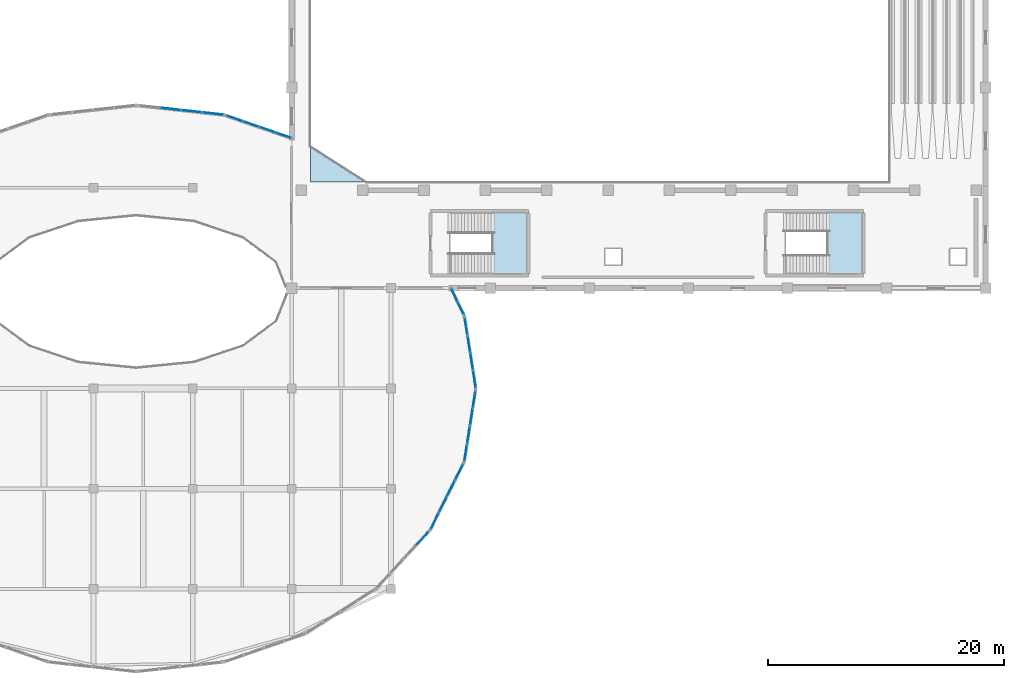
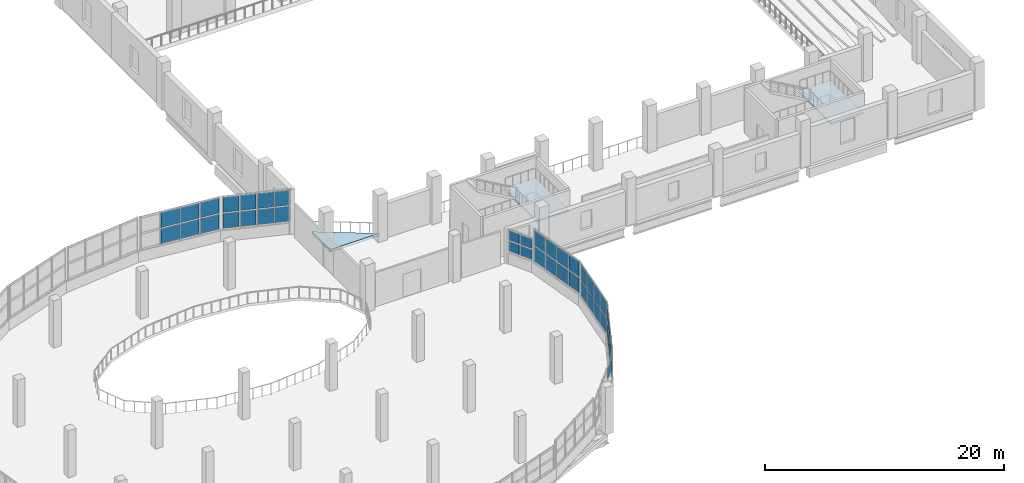
# One storey, part 52 of 77: 43 plates, 3 slabs, 9 elements without a shape of their own.
"""IFC4 building model written with IfcOpenShell, lengths in metres."""

from ifc_helpers import new_model, si_unit, direction, frame, origin, origin_2d, place, context, subcontext, project, spatial, polyline, rectangle, outline, extrude, material, layer, layer_set, type_object, element, aggregate, save


model = new_model("IFC4")

# Units and contexts
model_context = context("Model", 3, precision=1e-05, world=origin(), true_north=direction((0.0, 1.0)))
body_context = subcontext(model_context, "Body", "Model", "MODEL_VIEW")
ifc_project = project(units=[si_unit("LENGTHUNIT", "METRE"), si_unit("AREAUNIT", "SQUARE_METRE"), si_unit("VOLUMEUNIT", "CUBIC_METRE"), si_unit("PLANEANGLEUNIT", "RADIAN"), si_unit("MASSUNIT", "GRAM", prefix="KILO")], contexts=[model_context])

# Site, building, storey
site_placement = place(None, origin())
site = spatial("IfcSite", under=ifc_project, at=site_placement, CompositionType="ELEMENT")
building_placement = place(site_placement, origin())
building = spatial("IfcBuilding", under=site, at=building_placement, Name="Solvento Point Concert Hall", CompositionType="ELEMENT")
storey_placement = place(building_placement, frame((0.0, 0.0, 10.199951171875)))
storey = spatial("IfcBuildingStorey", under=building, at=storey_placement, Name="L02", CompositionType="ELEMENT", Elevation=10.199951171875)

# Curtain wall, plates
ifc_material_1 = material(Name="Anodized Bronze Aluminium", Category="aluminium")
curtain_wall_type = type_object("IfcCurtainWallType", Name="CurtainWall_RingRibbon_L01_02", PredefinedType="USERDEFINED", material=ifc_material_1)
curtain_wall_1_placement = place(storey_placement, origin())
curtain_wall_1 = element("IfcCurtainWall", 1, at=curtain_wall_1_placement, inside=storey, type_object=curtain_wall_type, Name="Unitised curtain wall CW-59 UCW-L02-176", ObjectType="UNITISED CURTAIN WALL", PredefinedType="USERDEFINED")
ifc_material_2 = material(Name="Hurricane Laminated Low-E Glass", Category="glass")
plate_type = type_object("IfcPlateType", Name="CurtainPanel_RingLower", PredefinedType="CURTAIN_PANEL", material=ifc_material_2)
plate_1_placement = place(storey_placement, frame((64.12060546875, 57.6796875, 1.240234375), z_axis=(0.0, 0.0, 1.0), x_axis=(0.994035418963, -0.109057717961, 0.0)))
plate_1 = element("IfcPlate", 2, at=plate_1_placement, type_object=plate_type, Name="Glazed curtain panel GL-02", PredefinedType="CURTAIN_PANEL", context=body_context, shape_type="SweptSolid", body=[
    extrude(rectangle(XDim=1.692138671875, YDim=0.0439453125, at=origin_2d()), origin(), (0.0, 0.0, 1.0), 1.530029296875),
])
plate_2_placement = place(storey_placement, frame((64.12060546875, 57.6796875, 2.89013671875), z_axis=(0.0, 0.0, 1.0), x_axis=(0.994035418963, -0.109057717961, 0.0)))
plate_2 = element("IfcPlate", 3, at=plate_2_placement, type_object=plate_type, Name="Glazed curtain panel GL-02", PredefinedType="CURTAIN_PANEL", context=body_context, shape_type="SweptSolid", body=[
    extrude(rectangle(XDim=1.692138671875, YDim=0.0439453125, at=origin_2d()), origin(), (0.0, 0.0, 1.0), 1.530029296875),
])
plate_3_placement = place(storey_placement, frame((65.922119140625, 57.48193359375, 1.240234375), z_axis=(0.0, 0.0, 1.0), x_axis=(0.994035418963, -0.109057717961, 0.0)))
plate_3 = element("IfcPlate", 4, at=plate_3_placement, type_object=plate_type, Name="Glazed curtain panel GL-02", PredefinedType="CURTAIN_PANEL", context=body_context, shape_type="SweptSolid", body=[
    extrude(rectangle(XDim=1.692138671875, YDim=0.0439453125, at=origin_2d()), origin(), (0.0, 0.0, 1.0), 1.530029296875),
])
plate_4_placement = place(storey_placement, frame((65.922119140625, 57.48193359375, 2.89013671875), z_axis=(0.0, 0.0, 1.0), x_axis=(0.994035418963, -0.109057717961, 0.0)))
plate_4 = element("IfcPlate", 5, at=plate_4_placement, type_object=plate_type, Name="Glazed curtain panel GL-02", PredefinedType="CURTAIN_PANEL", context=body_context, shape_type="SweptSolid", body=[
    extrude(rectangle(XDim=1.692138671875, YDim=0.0439453125, at=origin_2d()), origin(), (0.0, 0.0, 1.0), 1.530029296875),
])
plate_5_placement = place(storey_placement, frame((67.723388671875, 57.2841796875, 1.240234375), z_axis=(0.0, 0.0, 1.0), x_axis=(0.994035418963, -0.109057717961, 0.0)))
plate_5 = element("IfcPlate", 6, at=plate_5_placement, type_object=plate_type, Name="Glazed curtain panel GL-02", PredefinedType="CURTAIN_PANEL", context=body_context, shape_type="SweptSolid", body=[
    extrude(rectangle(XDim=1.692138671875, YDim=0.0439453125, at=origin_2d()), origin(), (0.0, 0.0, 1.0), 1.530029296875),
])
plate_6_placement = place(storey_placement, frame((67.723388671875, 57.2841796875, 2.89013671875), z_axis=(0.0, 0.0, 1.0), x_axis=(0.994035418963, -0.109057717961, 0.0)))
plate_6 = element("IfcPlate", 7, at=plate_6_placement, type_object=plate_type, Name="Glazed curtain panel GL-02", PredefinedType="CURTAIN_PANEL", context=body_context, shape_type="SweptSolid", body=[
    extrude(rectangle(XDim=1.692138671875, YDim=0.0439453125, at=origin_2d()), origin(), (0.0, 0.0, 1.0), 1.530029296875),
])
aggregate(curtain_wall_1, [plate_1, plate_2, plate_3, plate_4, plate_5, plate_6])

curtain_wall_2_placement = place(storey_placement, origin())
curtain_wall_2 = element("IfcCurtainWall", 8, at=curtain_wall_2_placement, inside=storey, type_object=curtain_wall_type, Name="Unitised curtain wall CW-59 UCW-L02-177", ObjectType="UNITISED CURTAIN WALL", PredefinedType="USERDEFINED")
plate_7_placement = place(storey_placement, frame((69.55078125, 56.872802734375, 1.240234375), z_axis=(0.0, 0.0, 1.0), x_axis=(0.945270556365, -0.326287565301, 0.0)))
plate_7 = element("IfcPlate", 9, at=plate_7_placement, type_object=plate_type, Name="Glazed curtain panel GL-02", PredefinedType="CURTAIN_PANEL", context=body_context, shape_type="SweptSolid", body=[
    extrude(rectangle(XDim=1.337158203125, YDim=0.0439453125, at=origin_2d()), origin(), (0.0, 0.0, 1.0), 1.530029296875),
])
plate_8_placement = place(storey_placement, frame((69.55078125, 56.872802734375, 2.89013671875), z_axis=(0.0, 0.0, 1.0), x_axis=(0.945270556365, -0.326287565301, 0.0)))
plate_8 = element("IfcPlate", 10, at=plate_8_placement, type_object=plate_type, Name="Glazed curtain panel GL-02", PredefinedType="CURTAIN_PANEL", context=body_context, shape_type="SweptSolid", body=[
    extrude(rectangle(XDim=1.337158203125, YDim=0.0439453125, at=origin_2d()), origin(), (0.0, 0.0, 1.0), 1.530029296875),
])
plate_9_placement = place(storey_placement, frame((70.927978515625, 56.397216796875, 1.240234375), z_axis=(0.0, 0.0, 1.0), x_axis=(0.945270556365, -0.326287565301, 0.0)))
plate_9 = element("IfcPlate", 11, at=plate_9_placement, type_object=plate_type, Name="Glazed curtain panel GL-02", PredefinedType="CURTAIN_PANEL", context=body_context, shape_type="SweptSolid", body=[
    extrude(rectangle(XDim=1.337158203125, YDim=0.0439453125, at=origin_2d()), origin(), (0.0, 0.0, 1.0), 1.530029296875),
])
plate_10_placement = place(storey_placement, frame((70.927978515625, 56.397216796875, 2.89013671875), z_axis=(0.0, 0.0, 1.0), x_axis=(0.945270556365, -0.326287565301, 0.0)))
plate_10 = element("IfcPlate", 12, at=plate_10_placement, type_object=plate_type, Name="Glazed curtain panel GL-02", PredefinedType="CURTAIN_PANEL", context=body_context, shape_type="SweptSolid", body=[
    extrude(rectangle(XDim=1.337158203125, YDim=0.0439453125, at=origin_2d()), origin(), (0.0, 0.0, 1.0), 1.530029296875),
])
plate_11_placement = place(storey_placement, frame((72.305419921875, 55.921875, 1.240234375), z_axis=(0.0, 0.0, 1.0), x_axis=(0.945270556365, -0.326287565301, 0.0)))
plate_11 = element("IfcPlate", 13, at=plate_11_placement, type_object=plate_type, Name="Glazed curtain panel GL-02", PredefinedType="CURTAIN_PANEL", context=body_context, shape_type="SweptSolid", body=[
    extrude(rectangle(XDim=1.337158203125, YDim=0.0439453125, at=origin_2d()), origin(), (0.0, 0.0, 1.0), 1.530029296875),
])
plate_12_placement = place(storey_placement, frame((72.305419921875, 55.921875, 2.89013671875), z_axis=(0.0, 0.0, 1.0), x_axis=(0.945270556365, -0.326287565301, 0.0)))
plate_12 = element("IfcPlate", 14, at=plate_12_placement, type_object=plate_type, Name="Glazed curtain panel GL-02", PredefinedType="CURTAIN_PANEL", context=body_context, shape_type="SweptSolid", body=[
    extrude(rectangle(XDim=1.337158203125, YDim=0.0439453125, at=origin_2d()), origin(), (0.0, 0.0, 1.0), 1.530029296875),
])
plate_13_placement = place(storey_placement, frame((73.682861328125, 55.4462890625, 1.240234375), z_axis=(0.0, 0.0, 1.0), x_axis=(0.945270556365, -0.326287565301, 0.0)))
plate_13 = element("IfcPlate", 15, at=plate_13_placement, type_object=plate_type, Name="Glazed curtain panel GL-02", PredefinedType="CURTAIN_PANEL", context=body_context, shape_type="SweptSolid", body=[
    extrude(rectangle(XDim=1.337158203125, YDim=0.0439453125, at=origin_2d()), origin(), (0.0, 0.0, 1.0), 1.530029296875),
])
plate_14_placement = place(storey_placement, frame((73.682861328125, 55.4462890625, 2.89013671875), z_axis=(0.0, 0.0, 1.0), x_axis=(0.945270556365, -0.326287565301, 0.0)))
plate_14 = element("IfcPlate", 16, at=plate_14_placement, type_object=plate_type, Name="Glazed curtain panel GL-02", PredefinedType="CURTAIN_PANEL", context=body_context, shape_type="SweptSolid", body=[
    extrude(rectangle(XDim=1.337158203125, YDim=0.0439453125, at=origin_2d()), origin(), (0.0, 0.0, 1.0), 1.530029296875),
])
aggregate(curtain_wall_2, [plate_7, plate_8, plate_9, plate_10, plate_11, plate_12, plate_13, plate_14])

curtain_wall_3_placement = place(storey_placement, origin())
curtain_wall_3 = element("IfcCurtainWall", 17, at=curtain_wall_3_placement, inside=storey, type_object=curtain_wall_type, Name="Unitised curtain wall CW-59 UCW-L02-178", ObjectType="UNITISED CURTAIN WALL", PredefinedType="USERDEFINED")
plate_15_placement = place(storey_placement, frame((88.17236328125, 41.91455078125, 1.240234375), z_axis=(0.0, 0.0, 1.0), x_axis=(0.445099423073, -0.89548115758, 0.0)))
plate_15 = element("IfcPlate", 18, at=plate_15_placement, type_object=plate_type, Name="Glazed curtain panel GL-02", PredefinedType="CURTAIN_PANEL", context=body_context, shape_type="SweptSolid", body=[
    extrude(rectangle(XDim=1.127685546875, YDim=0.0439453125, at=origin_2d()), origin(), (0.0, 0.0, 1.0), 1.00244140625),
])
plate_16_placement = place(storey_placement, frame((88.17236328125, 41.91455078125, 2.362548828125), z_axis=(0.0, 0.0, 1.0), x_axis=(0.445099423073, -0.89548115758, 0.0)))
plate_16 = element("IfcPlate", 19, at=plate_16_placement, type_object=plate_type, Name="Glazed curtain panel GL-02", PredefinedType="CURTAIN_PANEL", context=body_context, shape_type="SweptSolid", body=[
    extrude(rectangle(XDim=1.127685546875, YDim=0.0439453125, at=origin_2d()), origin(), (0.0, 0.0, 1.0), 1.00244140625),
])
plate_17_placement = place(storey_placement, frame((88.727783203125, 40.797119140625, 1.240234375), z_axis=(0.0, 0.0, 1.0), x_axis=(0.445099423073, -0.89548115758, 0.0)))
plate_17 = element("IfcPlate", 20, at=plate_17_placement, type_object=plate_type, Name="Glazed curtain panel GL-02", PredefinedType="CURTAIN_PANEL", context=body_context, shape_type="SweptSolid", body=[
    extrude(rectangle(XDim=1.127685546875, YDim=0.0439453125, at=origin_2d()), origin(), (0.0, 0.0, 1.0), 1.00244140625),
])
plate_18_placement = place(storey_placement, frame((88.727783203125, 40.797119140625, 2.362548828125), z_axis=(0.0, 0.0, 1.0), x_axis=(0.445099423073, -0.89548115758, 0.0)))
plate_18 = element("IfcPlate", 21, at=plate_18_placement, type_object=plate_type, Name="Glazed curtain panel GL-02", PredefinedType="CURTAIN_PANEL", context=body_context, shape_type="SweptSolid", body=[
    extrude(rectangle(XDim=1.127685546875, YDim=0.0439453125, at=origin_2d()), origin(), (0.0, 0.0, 1.0), 1.00244140625),
])
aggregate(curtain_wall_3, [plate_15, plate_16, plate_17, plate_18])

curtain_wall_4_placement = place(storey_placement, origin())
curtain_wall_4 = element("IfcCurtainWall", 22, at=curtain_wall_4_placement, inside=storey, type_object=curtain_wall_type, Name="Unitised curtain wall CW-59 UCW-L02-179", ObjectType="UNITISED CURTAIN WALL", PredefinedType="USERDEFINED")
plate_19_placement = place(storey_placement, frame((89.1708984375, 39.248779296875, 1.240234375), z_axis=(0.0, 0.0, 1.0), x_axis=(0.156041416836, -0.987750513152, 0.0)))
plate_19 = element("IfcPlate", 23, at=plate_19_placement, type_object=plate_type, Name="Glazed curtain panel GL-02", PredefinedType="CURTAIN_PANEL", context=body_context, shape_type="SweptSolid", body=[
    extrude(rectangle(XDim=1.3896484375, YDim=0.0439453125, at=origin_2d()), origin(), (0.0, 0.0, 1.0), 1.530029296875),
])
plate_20_placement = place(storey_placement, frame((89.1708984375, 39.248779296875, 2.89013671875), z_axis=(0.0, 0.0, 1.0), x_axis=(0.156041416836, -0.987750513152, 0.0)))
plate_20 = element("IfcPlate", 24, at=plate_20_placement, type_object=plate_type, Name="Glazed curtain panel GL-02", PredefinedType="CURTAIN_PANEL", context=body_context, shape_type="SweptSolid", body=[
    extrude(rectangle(XDim=1.3896484375, YDim=0.0439453125, at=origin_2d()), origin(), (0.0, 0.0, 1.0), 1.530029296875),
])
plate_21_placement = place(storey_placement, frame((89.406494140625, 37.757568359375, 1.240234375), z_axis=(0.0, 0.0, 1.0), x_axis=(0.156041416836, -0.987750513152, 0.0)))
plate_21 = element("IfcPlate", 25, at=plate_21_placement, type_object=plate_type, Name="Glazed curtain panel GL-02", PredefinedType="CURTAIN_PANEL", context=body_context, shape_type="SweptSolid", body=[
    extrude(rectangle(XDim=1.3896484375, YDim=0.0439453125, at=origin_2d()), origin(), (0.0, 0.0, 1.0), 1.530029296875),
])
plate_22_placement = place(storey_placement, frame((89.406494140625, 37.757568359375, 2.89013671875), z_axis=(0.0, 0.0, 1.0), x_axis=(0.156041416836, -0.987750513152, 0.0)))
plate_22 = element("IfcPlate", 26, at=plate_22_placement, type_object=plate_type, Name="Glazed curtain panel GL-02", PredefinedType="CURTAIN_PANEL", context=body_context, shape_type="SweptSolid", body=[
    extrude(rectangle(XDim=1.3896484375, YDim=0.0439453125, at=origin_2d()), origin(), (0.0, 0.0, 1.0), 1.530029296875),
])
plate_23_placement = place(storey_placement, frame((89.64208984375, 36.266357421875, 1.240234375), z_axis=(0.0, 0.0, 1.0), x_axis=(0.156041416836, -0.987750513152, 0.0)))
plate_23 = element("IfcPlate", 27, at=plate_23_placement, type_object=plate_type, Name="Glazed curtain panel GL-02", PredefinedType="CURTAIN_PANEL", context=body_context, shape_type="SweptSolid", body=[
    extrude(rectangle(XDim=1.3896484375, YDim=0.0439453125, at=origin_2d()), origin(), (0.0, 0.0, 1.0), 1.530029296875),
])
plate_24_placement = place(storey_placement, frame((89.64208984375, 36.266357421875, 2.89013671875), z_axis=(0.0, 0.0, 1.0), x_axis=(0.156041416836, -0.987750513152, 0.0)))
plate_24 = element("IfcPlate", 28, at=plate_24_placement, type_object=plate_type, Name="Glazed curtain panel GL-02", PredefinedType="CURTAIN_PANEL", context=body_context, shape_type="SweptSolid", body=[
    extrude(rectangle(XDim=1.3896484375, YDim=0.0439453125, at=origin_2d()), origin(), (0.0, 0.0, 1.0), 1.530029296875),
])
plate_25_placement = place(storey_placement, frame((89.87744140625, 34.775146484375, 1.240234375), z_axis=(0.0, 0.0, 1.0), x_axis=(0.156041416836, -0.987750513152, 0.0)))
plate_25 = element("IfcPlate", 29, at=plate_25_placement, type_object=plate_type, Name="Glazed curtain panel GL-02", PredefinedType="CURTAIN_PANEL", context=body_context, shape_type="SweptSolid", body=[
    extrude(rectangle(XDim=1.3896484375, YDim=0.0439453125, at=origin_2d()), origin(), (0.0, 0.0, 1.0), 1.530029296875),
])
plate_26_placement = place(storey_placement, frame((89.87744140625, 34.775146484375, 2.89013671875), z_axis=(0.0, 0.0, 1.0), x_axis=(0.156041416836, -0.987750513152, 0.0)))
plate_26 = element("IfcPlate", 30, at=plate_26_placement, type_object=plate_type, Name="Glazed curtain panel GL-02", PredefinedType="CURTAIN_PANEL", context=body_context, shape_type="SweptSolid", body=[
    extrude(rectangle(XDim=1.3896484375, YDim=0.0439453125, at=origin_2d()), origin(), (0.0, 0.0, 1.0), 1.530029296875),
])
aggregate(curtain_wall_4, [plate_19, plate_20, plate_21, plate_22, plate_23, plate_24, plate_25, plate_26])

curtain_wall_5_placement = place(storey_placement, origin())
curtain_wall_5 = element("IfcCurtainWall", 31, at=curtain_wall_5_placement, inside=storey, type_object=curtain_wall_type, Name="Unitised curtain wall CW-59 UCW-L02-180", ObjectType="UNITISED CURTAIN WALL", PredefinedType="USERDEFINED")
plate_27_placement = place(storey_placement, frame((89.847900390625, 33.037109375, 1.240234375), z_axis=(0.0, 0.0, 1.0), x_axis=(-0.156041416836, -0.987750513152, 0.0)))
plate_27 = element("IfcPlate", 32, at=plate_27_placement, type_object=plate_type, Name="Glazed curtain panel GL-02", PredefinedType="CURTAIN_PANEL", context=body_context, shape_type="SweptSolid", body=[
    extrude(rectangle(XDim=1.3896484375, YDim=0.0439453125, at=origin_2d()), origin(), (0.0, 0.0, 1.0), 1.530029296875),
])
plate_28_placement = place(storey_placement, frame((89.847900390625, 33.037109375, 2.89013671875), z_axis=(0.0, 0.0, 1.0), x_axis=(-0.156041416836, -0.987750513152, 0.0)))
plate_28 = element("IfcPlate", 33, at=plate_28_placement, type_object=plate_type, Name="Glazed curtain panel GL-02", PredefinedType="CURTAIN_PANEL", context=body_context, shape_type="SweptSolid", body=[
    extrude(rectangle(XDim=1.3896484375, YDim=0.0439453125, at=origin_2d()), origin(), (0.0, 0.0, 1.0), 1.530029296875),
])
plate_29_placement = place(storey_placement, frame((89.6123046875, 31.5458984375, 1.240234375), z_axis=(0.0, 0.0, 1.0), x_axis=(-0.156041416836, -0.987750513152, 0.0)))
plate_29 = element("IfcPlate", 34, at=plate_29_placement, type_object=plate_type, Name="Glazed curtain panel GL-02", PredefinedType="CURTAIN_PANEL", context=body_context, shape_type="SweptSolid", body=[
    extrude(rectangle(XDim=1.3896484375, YDim=0.0439453125, at=origin_2d()), origin(), (0.0, 0.0, 1.0), 1.530029296875),
])
plate_30_placement = place(storey_placement, frame((89.6123046875, 31.5458984375, 2.89013671875), z_axis=(0.0, 0.0, 1.0), x_axis=(-0.156041416836, -0.987750513152, 0.0)))
plate_30 = element("IfcPlate", 35, at=plate_30_placement, type_object=plate_type, Name="Glazed curtain panel GL-02", PredefinedType="CURTAIN_PANEL", context=body_context, shape_type="SweptSolid", body=[
    extrude(rectangle(XDim=1.3896484375, YDim=0.0439453125, at=origin_2d()), origin(), (0.0, 0.0, 1.0), 1.530029296875),
])
plate_31_placement = place(storey_placement, frame((89.376708984375, 30.0546875, 1.240234375), z_axis=(0.0, 0.0, 1.0), x_axis=(-0.156041416836, -0.987750513152, 0.0)))
plate_31 = element("IfcPlate", 36, at=plate_31_placement, type_object=plate_type, Name="Glazed curtain panel GL-02", PredefinedType="CURTAIN_PANEL", context=body_context, shape_type="SweptSolid", body=[
    extrude(rectangle(XDim=1.3896484375, YDim=0.0439453125, at=origin_2d()), origin(), (0.0, 0.0, 1.0), 1.530029296875),
])
plate_32_placement = place(storey_placement, frame((89.376708984375, 30.0546875, 2.89013671875), z_axis=(0.0, 0.0, 1.0), x_axis=(-0.156041416836, -0.987750513152, 0.0)))
plate_32 = element("IfcPlate", 37, at=plate_32_placement, type_object=plate_type, Name="Glazed curtain panel GL-02", PredefinedType="CURTAIN_PANEL", context=body_context, shape_type="SweptSolid", body=[
    extrude(rectangle(XDim=1.3896484375, YDim=0.0439453125, at=origin_2d()), origin(), (0.0, 0.0, 1.0), 1.530029296875),
])
plate_33_placement = place(storey_placement, frame((89.14111328125, 28.5634765625, 1.240234375), z_axis=(0.0, 0.0, 1.0), x_axis=(-0.156041416836, -0.987750513152, 0.0)))
plate_33 = element("IfcPlate", 38, at=plate_33_placement, type_object=plate_type, Name="Glazed curtain panel GL-02", PredefinedType="CURTAIN_PANEL", context=body_context, shape_type="SweptSolid", body=[
    extrude(rectangle(XDim=1.3896484375, YDim=0.0439453125, at=origin_2d()), origin(), (0.0, 0.0, 1.0), 1.530029296875),
])
plate_34_placement = place(storey_placement, frame((89.14111328125, 28.5634765625, 2.89013671875), z_axis=(0.0, 0.0, 1.0), x_axis=(-0.156041416836, -0.987750513152, 0.0)))
plate_34 = element("IfcPlate", 39, at=plate_34_placement, type_object=plate_type, Name="Glazed curtain panel GL-02", PredefinedType="CURTAIN_PANEL", context=body_context, shape_type="SweptSolid", body=[
    extrude(rectangle(XDim=1.3896484375, YDim=0.0439453125, at=origin_2d()), origin(), (0.0, 0.0, 1.0), 1.530029296875),
])
aggregate(curtain_wall_5, [plate_27, plate_28, plate_29, plate_30, plate_31, plate_32, plate_33, plate_34])

curtain_wall_6_placement = place(storey_placement, origin())
curtain_wall_6 = element("IfcCurtainWall", 40, at=curtain_wall_6_placement, inside=storey, type_object=curtain_wall_type, Name="Unitised curtain wall CW-59 UCW-L02-181", ObjectType="UNITISED CURTAIN WALL", PredefinedType="USERDEFINED")
plate_35_placement = place(storey_placement, frame((88.574951171875, 26.895751953125, 1.240234375), z_axis=(0.0, 0.0, 1.0), x_axis=(-0.445115052099, -0.895473388993, 0.0)))
plate_35 = element("IfcPlate", 41, at=plate_35_placement, type_object=plate_type, Name="Glazed curtain panel GL-02", PredefinedType="CURTAIN_PANEL", context=body_context, shape_type="SweptSolid", body=[
    extrude(rectangle(XDim=1.43359375, YDim=0.0439453125, at=origin_2d()), origin(), (0.0, 0.0, 1.0), 1.530029296875),
])
plate_36_placement = place(storey_placement, frame((88.574951171875, 26.895751953125, 2.89013671875), z_axis=(0.0, 0.0, 1.0), x_axis=(-0.445115052099, -0.895473388993, 0.0)))
plate_36 = element("IfcPlate", 42, at=plate_36_placement, type_object=plate_type, Name="Glazed curtain panel GL-02", PredefinedType="CURTAIN_PANEL", context=body_context, shape_type="SweptSolid", body=[
    extrude(rectangle(XDim=1.43359375, YDim=0.0439453125, at=origin_2d()), origin(), (0.0, 0.0, 1.0), 1.530029296875),
])
plate_37_placement = place(storey_placement, frame((87.883544921875, 25.504638671875, 1.240234375), z_axis=(0.0, 0.0, 1.0), x_axis=(-0.445115052099, -0.895473388993, 0.0)))
plate_37 = element("IfcPlate", 43, at=plate_37_placement, type_object=plate_type, Name="Glazed curtain panel GL-02", PredefinedType="CURTAIN_PANEL", context=body_context, shape_type="SweptSolid", body=[
    extrude(rectangle(XDim=1.43359375, YDim=0.0439453125, at=origin_2d()), origin(), (0.0, 0.0, 1.0), 1.530029296875),
])
plate_38_placement = place(storey_placement, frame((87.883544921875, 25.504638671875, 2.89013671875), z_axis=(0.0, 0.0, 1.0), x_axis=(-0.445115052099, -0.895473388993, 0.0)))
plate_38 = element("IfcPlate", 44, at=plate_38_placement, type_object=plate_type, Name="Glazed curtain panel GL-02", PredefinedType="CURTAIN_PANEL", context=body_context, shape_type="SweptSolid", body=[
    extrude(rectangle(XDim=1.43359375, YDim=0.0439453125, at=origin_2d()), origin(), (0.0, 0.0, 1.0), 1.530029296875),
])
plate_39_placement = place(storey_placement, frame((87.192138671875, 24.113525390625, 1.240234375), z_axis=(0.0, 0.0, 1.0), x_axis=(-0.445115052099, -0.895473388993, 0.0)))
plate_39 = element("IfcPlate", 45, at=plate_39_placement, type_object=plate_type, Name="Glazed curtain panel GL-02", PredefinedType="CURTAIN_PANEL", context=body_context, shape_type="SweptSolid", body=[
    extrude(rectangle(XDim=1.43359375, YDim=0.0439453125, at=origin_2d()), origin(), (0.0, 0.0, 1.0), 1.530029296875),
])
plate_40_placement = place(storey_placement, frame((87.192138671875, 24.113525390625, 2.89013671875), z_axis=(0.0, 0.0, 1.0), x_axis=(-0.445115052099, -0.895473388993, 0.0)))
plate_40 = element("IfcPlate", 46, at=plate_40_placement, type_object=plate_type, Name="Glazed curtain panel GL-02", PredefinedType="CURTAIN_PANEL", context=body_context, shape_type="SweptSolid", body=[
    extrude(rectangle(XDim=1.43359375, YDim=0.0439453125, at=origin_2d()), origin(), (0.0, 0.0, 1.0), 1.530029296875),
])
plate_41_placement = place(storey_placement, frame((86.50048828125, 22.722412109375, 1.240234375), z_axis=(0.0, 0.0, 1.0), x_axis=(-0.445115052099, -0.895473388993, 0.0)))
plate_41 = element("IfcPlate", 47, at=plate_41_placement, type_object=plate_type, Name="Glazed curtain panel GL-02", PredefinedType="CURTAIN_PANEL", context=body_context, shape_type="SweptSolid", body=[
    extrude(rectangle(XDim=1.43359375, YDim=0.0439453125, at=origin_2d()), origin(), (0.0, 0.0, 1.0), 1.530029296875),
])
plate_42_placement = place(storey_placement, frame((86.50048828125, 22.722412109375, 2.89013671875), z_axis=(0.0, 0.0, 1.0), x_axis=(-0.445115052099, -0.895473388993, 0.0)))
plate_42 = element("IfcPlate", 48, at=plate_42_placement, type_object=plate_type, Name="Glazed curtain panel GL-02", PredefinedType="CURTAIN_PANEL", context=body_context, shape_type="SweptSolid", body=[
    extrude(rectangle(XDim=1.43359375, YDim=0.0439453125, at=origin_2d()), origin(), (0.0, 0.0, 1.0), 1.530029296875),
])
aggregate(curtain_wall_6, [plate_35, plate_36, plate_37, plate_38, plate_39, plate_40, plate_41, plate_42])

# Curtain wall, plate
curtain_wall_7_placement = place(storey_placement, origin())
curtain_wall_7 = element("IfcCurtainWall", 49, at=curtain_wall_7_placement, inside=storey, type_object=curtain_wall_type, Name="Unitised curtain wall CW-59 UCW-L02-182", ObjectType="UNITISED CURTAIN WALL", PredefinedType="USERDEFINED")
plate_43_placement = place(storey_placement, frame((85.44140625, 21.23974609375, 2.361083984375), z_axis=(0.0, 0.0, 1.0), x_axis=(-0.677365302802, -0.735646821892, 0.0)))
plate_43 = element("IfcPlate", 50, at=plate_43_placement, type_object=plate_type, Name="Glazed curtain panel GL-02", PredefinedType="CURTAIN_PANEL", context=body_context, shape_type="SweptSolid", body=[
    extrude(rectangle(XDim=1.506591796875, YDim=0.0439453125, at=origin_2d()), origin(), (0.0, 0.0, 1.0), 1.0009765625),
])
aggregate(curtain_wall_7, [plate_43])

# Slab
ifc_material_3 = material(Name="Concrete C35/45", Category="concrete")
ifc_layer_1 = layer(ifc_material_3, 0.27001953125)
ifc_layer_set_1 = layer_set([ifc_layer_1], Name="Concrete C35/45")
slab_type_1 = type_object("IfcSlabType", Name="FloorSlab_270", PredefinedType="FLOOR", material=ifc_layer_set_1)
slab_1_placement = place(storey_placement, frame((0.0, 0.0, -0.27001953125)))
element("IfcSlab", 51, at=slab_1_placement, inside=storey, type_object=slab_type_1, Name="Structural slab SL-L02 SLAB-L02-V2RING-P2", PredefinedType="FLOOR", context=body_context, shape_type="SweptSolid", body=[
    extrude(outline(polyline([(76.0, 51.5), (76.0, 54.52880859375), (80.73681640625, 51.5), (76.0, 51.5)])), origin(), (0.0, 0.0, 1.0), 0.27001953125),
])

# Stair, slab
ifc_material_4 = material(Name="Concrete C35/45", Category="concrete")
stair_type_1 = type_object("IfcStairType", Name="CoreStair_1760", PredefinedType="HALF_TURN_STAIR", material=ifc_material_4)
stair_1_placement = place(storey_placement, origin())
stair_1 = element("IfcStair", 52, at=stair_1_placement, inside=storey, type_object=stair_type_1, Name="Protected exit stair ST-06 (L02 to L03)", PredefinedType="HALF_TURN_STAIR")
ifc_material_5 = material(Name="Concrete C35/45", Category="concrete")
ifc_layer_2 = layer(ifc_material_5, 0.179931640625)
ifc_layer_set_2 = layer_set([ifc_layer_2], Name="Concrete C35/45")
slab_type_2 = type_object("IfcSlabType", Name="StairLanding_180", PredefinedType="LANDING", material=ifc_layer_set_2)
slab_2_placement = place(storey_placement, frame((0.0, 0.0, 2.219970703125)))
slab_2 = element("IfcSlab", 53, at=slab_2_placement, type_object=slab_type_2, Name="Stair half-landing ST-06 L02", PredefinedType="LANDING", context=body_context, shape_type="SweptSolid", body=[
    extrude(outline(polyline([(91.320068359375, 43.56005859375), (94.43994140625, 43.56005859375), (94.43994140625, 49.0400390625), (91.320068359375, 49.0400390625), (91.320068359375, 43.56005859375)])), origin(), (0.0, 0.0, 1.0), 0.18017578125),
])
aggregate(stair_1, [slab_2])

ifc_material_6 = material(Name="Concrete C35/45", Category="concrete")
stair_type_2 = type_object("IfcStairType", Name="CoreStair_1600", PredefinedType="HALF_TURN_STAIR", material=ifc_material_6)
stair_2_placement = place(storey_placement, origin())
stair_2 = element("IfcStair", 54, at=stair_2_placement, inside=storey, type_object=stair_type_2, Name="Protected exit stair ST-07 (L02 to L03)", PredefinedType="HALF_TURN_STAIR")
slab_3_placement = place(storey_placement, frame((0.0, 0.0, 2.219970703125)))
slab_3 = element("IfcSlab", 55, at=slab_3_placement, type_object=slab_type_2, Name="Stair half-landing ST-07 L02", PredefinedType="LANDING", context=body_context, shape_type="SweptSolid", body=[
    extrude(outline(polyline([(119.719970703125, 43.56005859375), (122.840087890625, 43.56005859375), (122.840087890625, 49.0400390625), (119.719970703125, 49.0400390625), (119.719970703125, 43.56005859375)])), origin(), (0.0, 0.0, 1.0), 0.18017578125),
])
aggregate(stair_2, [slab_3])

save(model, "model.ifc")
